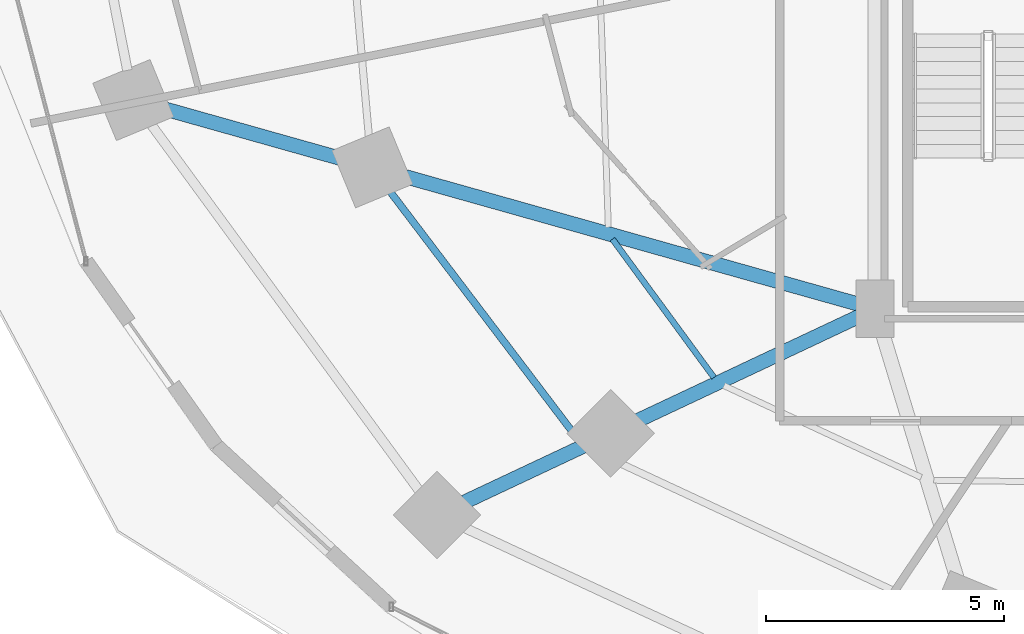
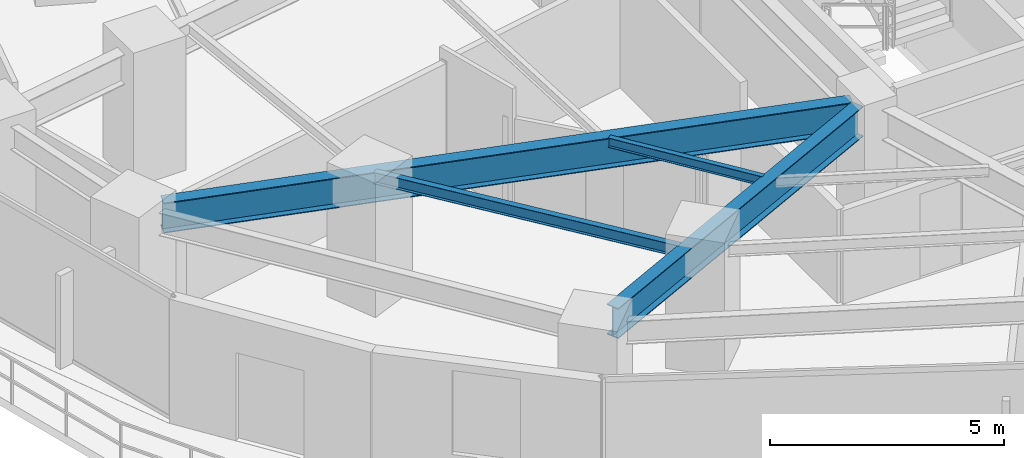
# One storey, part 4 of 33: 4 beams.
"""IFC4 building model written with IfcOpenShell, lengths in metres."""

from ifc_helpers import new_model, si_unit, direction, frame, origin, origin_2d, place, context, subcontext, project, spatial, i_section, extrude, material, material_profile, profile_set, type_object, element, save


model = new_model("IFC4")

# Units and contexts
model_context = context("Model", 3, precision=1e-05, world=origin(), true_north=direction((0.0, 1.0)))
body_context = subcontext(model_context, "Body", "Model", "MODEL_VIEW")
ifc_project = project(units=[si_unit("LENGTHUNIT", "METRE"), si_unit("AREAUNIT", "SQUARE_METRE"), si_unit("VOLUMEUNIT", "CUBIC_METRE"), si_unit("PLANEANGLEUNIT", "RADIAN"), si_unit("MASSUNIT", "GRAM", prefix="KILO")], contexts=[model_context])

# Site, building, storey
site_placement = place(None, origin())
site = spatial("IfcSite", under=ifc_project, at=site_placement, CompositionType="ELEMENT")
building_placement = place(site_placement, origin())
building = spatial("IfcBuilding", under=site, at=building_placement, Name="Vorneva Point Tower", CompositionType="ELEMENT")
storey_placement = place(building_placement, frame((0.0, 0.0, 38.0)))
storey = spatial("IfcBuildingStorey", under=building, at=storey_placement, Name="L09", CompositionType="ELEMENT", Elevation=38.0)

# Beams
ifc_material = material(Name="Steel S355", Category="steel")
ifc_material_profile_1 = material_profile(ifc_material, i_section(OverallWidth=0.300048828125, OverallDepth=0.7880859375, WebThickness=0.014404296875, FlangeThickness=0.02197265625, at=origin_2d()), Name="80Sh1")
ifc_profile_set_1 = profile_set([ifc_material_profile_1], Name="Steel S355")
beam_type_1 = type_object("IfcBeamType", Name="BM-GRD-80Sh1", PredefinedType="USERDEFINED", material=ifc_profile_set_1)
beam_1_placement = place(storey_placement, frame((12.30224609375, 20.65673828125, 2.845947265625), z_axis=(0.962603400973, -0.270914548217, 0.0), x_axis=(0.270914548217, 0.962603400973, 0.0)))
element("IfcBeam", 1, at=beam_1_placement, inside=storey, type_object=beam_type_1, Name="L09 Radial Primary Girder 10", ObjectType="GIRDER", PredefinedType="USERDEFINED", context=body_context, shape_type="SweptSolid", body=[
    extrude(i_section(OverallWidth=0.300048828125, OverallDepth=0.7880859375, WebThickness=0.014404296875, FlangeThickness=0.02197265625, at=origin_2d()), origin(), (0.0, 0.0, 1.0), 15.188232421875),
])
beam_2_placement = place(storey_placement, frame((18.638427734375, 12.39599609375, 2.845947265625), z_axis=(0.904758409006, 0.425925135831, 0.0), x_axis=(-0.425925135831, 0.904758409006, 0.0)))
element("IfcBeam", 2, at=beam_2_placement, inside=storey, type_object=beam_type_1, Name="L09 Radial Primary Girder 11", ObjectType="GIRDER", PredefinedType="USERDEFINED", context=body_context, shape_type="SweptSolid", body=[
    extrude(i_section(OverallWidth=0.300048828125, OverallDepth=0.7880859375, WebThickness=0.014404296875, FlangeThickness=0.02197265625, at=origin_2d()), origin(), (0.0, 0.0, 1.0), 9.177978515625),
])
ifc_material_profile_2 = material_profile(ifc_material, i_section(OverallWidth=0.1240234375, OverallDepth=0.248046875, WebThickness=0.0048828125, FlangeThickness=0.008056640625, at=origin_2d()), Name="25B1")
ifc_profile_set_2 = profile_set([ifc_material_profile_2], Name="Steel S355")
beam_type_2 = type_object("IfcBeamType", Name="BM-JST-25B1", PredefinedType="JOIST", material=ifc_profile_set_2)
beam_3_placement = place(storey_placement, frame((21.740966796875, 17.912109375, 3.115966796875), z_axis=(0.591625231852, -0.806213113907, 0.0), x_axis=(0.806213113907, 0.591625231852, 0.0)))
element("IfcBeam", 3, at=beam_3_placement, inside=storey, type_object=beam_type_2, Name="L09 Secondary Floor Beam 2.10", PredefinedType="JOIST", context=body_context, shape_type="SweptSolid", body=[
    extrude(i_section(OverallWidth=0.1240234375, OverallDepth=0.248046875, WebThickness=0.0048828125, FlangeThickness=0.008056640625, at=origin_2d()), origin(), (0.0, 0.0, 1.0), 3.600830078125),
])
ifc_material_profile_3 = material_profile(ifc_material, i_section(OverallWidth=0.14892578125, OverallDepth=0.298095703125, WebThickness=0.005615234375, FlangeThickness=0.008056640625, at=origin_2d()), Name="30B1")
ifc_profile_set_3 = profile_set([ifc_material_profile_3], Name="Steel S355")
beam_type_3 = type_object("IfcBeamType", Name="BM-JST-30B1", PredefinedType="JOIST", material=ifc_profile_set_3)
beam_4_placement = place(storey_placement, frame((16.771728515625, 19.3125, 3.091064453125), z_axis=(0.604453726365, -0.79664025299, 0.0), x_axis=(0.79664025299, 0.604453726365, 0.0)))
element("IfcBeam", 4, at=beam_4_placement, inside=storey, type_object=beam_type_3, Name="L09 Secondary Floor Beam 1.10", PredefinedType="JOIST", context=body_context, shape_type="SweptSolid", body=[
    extrude(i_section(OverallWidth=0.14892578125, OverallDepth=0.298095703125, WebThickness=0.005615234375, FlangeThickness=0.008056640625, at=origin_2d()), origin(), (0.0, 0.0, 1.0), 7.072021484375),
])

save(model, "model.ifc")
